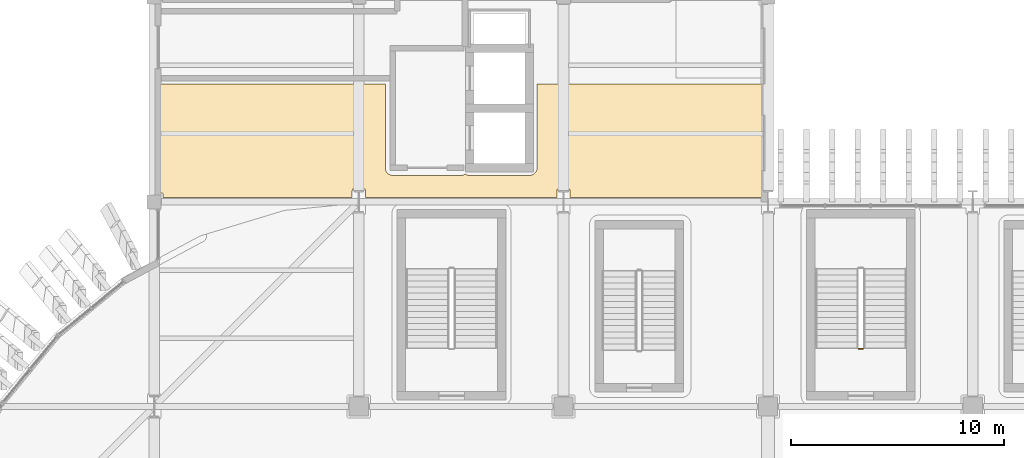
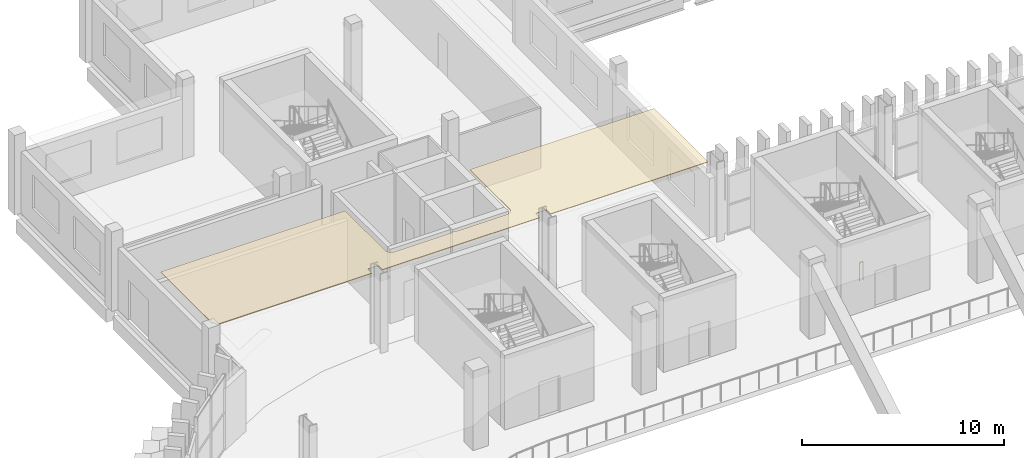
# One storey, part 85 of 100: 1 covering, 1 railing.
"""IFC4 building model written with IfcOpenShell, lengths in metres."""

from ifc_helpers import new_model, si_unit, direction, frame, origin, origin_2d, place, context, subcontext, project, spatial, polyline, circle, outline, extrude, material, layer, layer_set, type_object, element, save


model = new_model("IFC4")

# Units and contexts
model_context = context("Model", 3, precision=1e-05, world=origin(), true_north=direction((0.0, 1.0)))
body_context = subcontext(model_context, "Body", "Model", "MODEL_VIEW")
ifc_project = project(units=[si_unit("LENGTHUNIT", "METRE"), si_unit("AREAUNIT", "SQUARE_METRE"), si_unit("VOLUMEUNIT", "CUBIC_METRE"), si_unit("PLANEANGLEUNIT", "RADIAN"), si_unit("MASSUNIT", "GRAM", prefix="KILO")], contexts=[model_context])

# Site, building, storey
site_placement = place(None, origin())
site = spatial("IfcSite", under=ifc_project, at=site_placement, CompositionType="ELEMENT")
building_placement = place(site_placement, origin())
building = spatial("IfcBuilding", under=site, at=building_placement, Name="Caelomonte Colonnade Arena", CompositionType="ELEMENT")
storey_placement = place(building_placement, origin())
storey = spatial("IfcBuildingStorey", under=building, at=storey_placement, Name="L00", CompositionType="ELEMENT", Elevation=0.0)

# Covering
ifc_material_1 = material(Name="Perforated acoustic mineral-fibre ceiling")
ifc_layer = layer(ifc_material_1, 0.0400390625)
ifc_layer_set = layer_set([ifc_layer], Name="Perforated acoustic mineral-fibre ceiling")
covering_type = type_object("IfcCoveringType", Name="INT-CV-CEIL1", PredefinedType="CEILING", material=ifc_layer_set)
covering_placement = place(storey_placement, frame((0.0, 0.0, 4.419921875)))
element("IfcCovering", 1, at=covering_placement, inside=storey, type_object=covering_type, Name="L00 North Gallery Concourse acoustic ceiling", PredefinedType="CEILING", context=body_context, shape_type="SweptSolid", body=[
    extrude(outline(polyline([(67.5, 120.719970703125), (67.5, 115.6201171875), (67.5400390625, 115.6201171875), (67.5478515625, 115.61962890625), (67.5556640625, 115.618408203125), (67.563232421875, 115.61669921875), (67.570556640625, 115.614013671875), (67.57763671875, 115.610595703125), (67.58447265625, 115.6064453125), (67.5908203125, 115.601806640625), (67.5966796875, 115.5966796875), (67.601806640625, 115.5908203125), (67.6064453125, 115.58447265625), (67.610595703125, 115.57763671875), (67.614013671875, 115.570556640625), (67.61669921875, 115.563232421875), (67.618408203125, 115.5556640625), (67.61962890625, 115.5478515625), (67.6201171875, 115.5400390625), (67.6201171875, 115.39990234375), (76.491455078125, 115.39990234375), (76.491455078125, 115.735595703125), (76.491943359375, 115.743408203125), (76.492919921875, 115.751220703125), (76.494873046875, 115.7587890625), (76.49755859375, 115.766357421875), (76.5009765625, 115.7734375), (76.5048828125, 115.780029296875), (76.509765625, 115.78662109375), (76.514892578125, 115.792236328125), (76.520751953125, 115.797607421875), (76.527099609375, 115.80224609375), (76.53369140625, 115.806396484375), (76.541015625, 115.8095703125), (76.54833984375, 115.812255859375), (76.555908203125, 115.814208984375), (76.563720703125, 115.815185546875), (76.571533203125, 115.815673828125), (77.028564453125, 115.815673828125), (77.036376953125, 115.815185546875), (77.044189453125, 115.814208984375), (77.0517578125, 115.812255859375), (77.05908203125, 115.8095703125), (77.066162109375, 115.806396484375), (77.072998046875, 115.80224609375), (77.079345703125, 115.797607421875), (77.085205078125, 115.792236328125), (77.09033203125, 115.78662109375), (77.094970703125, 115.780029296875), (77.09912109375, 115.7734375), (77.102294921875, 115.766357421875), (77.10498046875, 115.7587890625), (77.10693359375, 115.751220703125), (77.108154296875, 115.743408203125), (77.1083984375, 115.735595703125), (77.1083984375, 115.39990234375), (86.091552734375, 115.39990234375), (86.091552734375, 115.735595703125), (86.091796875, 115.743408203125), (86.093017578125, 115.751220703125), (86.094970703125, 115.7587890625), (86.09765625, 115.766357421875), (86.100830078125, 115.7734375), (86.10498046875, 115.780029296875), (86.109619140625, 115.78662109375), (86.114990234375, 115.792236328125), (86.12060546875, 115.797607421875), (86.127197265625, 115.80224609375), (86.1337890625, 115.806396484375), (86.140869140625, 115.8095703125), (86.148193359375, 115.812255859375), (86.156005859375, 115.814208984375), (86.163818359375, 115.815185546875), (86.17138671875, 115.815673828125), (86.62841796875, 115.815673828125), (86.63623046875, 115.815185546875), (86.64404296875, 115.814208984375), (86.651611328125, 115.812255859375), (86.6591796875, 115.8095703125), (86.666259765625, 115.806396484375), (86.6728515625, 115.80224609375), (86.67919921875, 115.797607421875), (86.68505859375, 115.792236328125), (86.690185546875, 115.78662109375), (86.695068359375, 115.780029296875), (86.69921875, 115.7734375), (86.702392578125, 115.766357421875), (86.705078125, 115.7587890625), (86.70703125, 115.751220703125), (86.7080078125, 115.743408203125), (86.70849609375, 115.735595703125), (86.70849609375, 115.39990234375), (95.69140625, 115.39990234375), (95.69140625, 115.735595703125), (95.69189453125, 115.743408203125), (95.693115234375, 115.751220703125), (95.69482421875, 115.7587890625), (95.697509765625, 115.766357421875), (95.699951171875, 115.771484375), (95.699951171875, 120.719970703125), (85.159912109375, 120.719970703125), (85.159912109375, 116.800048828125), (85.159912109375, 116.796142578125), (85.15869140625, 116.7685546875), (85.15771484375, 116.7607421875), (85.15380859375, 116.733642578125), (85.152099609375, 116.725830078125), (85.1455078125, 116.69921875), (85.143310546875, 116.69189453125), (85.134033203125, 116.666015625), (85.131103515625, 116.65869140625), (85.119384765625, 116.6337890625), (85.115478515625, 116.626953125), (85.101318359375, 116.603271484375), (85.09716796875, 116.5966796875), (85.080810546875, 116.57470703125), (85.07568359375, 116.568603515625), (85.057373046875, 116.54833984375), (85.0517578125, 116.542724609375), (85.031494140625, 116.5244140625), (85.025390625, 116.519287109375), (85.003173828125, 116.5029296875), (84.99658203125, 116.49853515625), (84.97314453125, 116.484375), (84.96630859375, 116.480712890625), (84.94140625, 116.468994140625), (84.93408203125, 116.466064453125), (84.908203125, 116.456787109375), (84.900634765625, 116.45458984375), (84.8740234375, 116.44775390625), (84.866455078125, 116.4462890625), (84.839111328125, 116.442138671875), (84.831298828125, 116.44140625), (84.803955078125, 116.440185546875), (84.800048828125, 116.43994140625), (82.0, 116.43994140625), (81.99609375, 116.440185546875), (81.968505859375, 116.44140625), (81.960693359375, 116.442138671875), (81.93359375, 116.4462890625), (81.92578125, 116.44775390625), (81.8994140625, 116.45458984375), (81.891845703125, 116.456787109375), (81.865966796875, 116.466064453125), (81.858642578125, 116.468994140625), (81.833740234375, 116.480712890625), (81.826904296875, 116.484375), (81.80322265625, 116.49853515625), (81.800048828125, 116.500732421875), (81.796630859375, 116.49853515625), (81.773193359375, 116.484375), (81.76611328125, 116.480712890625), (81.741455078125, 116.468994140625), (81.734130859375, 116.466064453125), (81.708251953125, 116.456787109375), (81.70068359375, 116.45458984375), (81.674072265625, 116.44775390625), (81.66650390625, 116.4462890625), (81.63916015625, 116.442138671875), (81.63134765625, 116.44140625), (81.60400390625, 116.440185546875), (81.60009765625, 116.43994140625), (78.39990234375, 116.43994140625), (78.39599609375, 116.440185546875), (78.36865234375, 116.44140625), (78.36083984375, 116.442138671875), (78.33349609375, 116.4462890625), (78.325927734375, 116.44775390625), (78.29931640625, 116.45458984375), (78.291748046875, 116.456787109375), (78.265869140625, 116.466064453125), (78.258544921875, 116.468994140625), (78.23388671875, 116.480712890625), (78.226806640625, 116.484375), (78.203369140625, 116.49853515625), (78.19677734375, 116.5029296875), (78.1748046875, 116.519287109375), (78.168701171875, 116.5244140625), (78.148193359375, 116.542724609375), (78.142578125, 116.54833984375), (78.124267578125, 116.568603515625), (78.119384765625, 116.57470703125), (78.102783203125, 116.5966796875), (78.0986328125, 116.603271484375), (78.08447265625, 116.626953125), (78.080810546875, 116.6337890625), (78.069091796875, 116.65869140625), (78.06591796875, 116.666015625), (78.056640625, 116.69189453125), (78.054443359375, 116.69921875), (78.0478515625, 116.725830078125), (78.046142578125, 116.733642578125), (78.042236328125, 116.7607421875), (78.04150390625, 116.7685546875), (78.0400390625, 116.796142578125), (78.0400390625, 116.800048828125), (78.0400390625, 120.719970703125), (67.5, 120.719970703125)])), origin(), (0.0, 0.0, 1.0), 0.0400390625),
])

# Railing
ifc_material_2 = material(Name="Painted galvanized steel stair guard", Category="steel")
railing_type = type_object("IfcRailingType", Name="INT-RL-GRD", PredefinedType="GUARDRAIL", material=ifc_material_2)
railing_placement = place(storey_placement, frame((100.449951171875, 108.300048828125, 0.0)))
element("IfcRailing", 2, at=railing_placement, inside=storey, type_object=railing_type, Name="L00 ST-15 stair guard 4", PredefinedType="GUARDRAIL", context=body_context, shape_type="SweptSolid", body=[
    extrude(circle(Radius=0.02392578125, at=origin_2d()), frame((0.0, 0.0, 1.076171875), z_axis=(-1.0, 0.0, 0.0), x_axis=(0.0, -1.0, 0.0)), (0.0, 0.0, 1.0), 0.199951171875),
    extrude(circle(Radius=0.02099609375, at=origin_2d()), origin(), (0.0, 0.0, 1.0), 1.048095703125),
    extrude(circle(Radius=0.02099609375, at=origin_2d()), frame((-0.199951171875, 0.0, 0.0)), (0.0, 0.0, 1.0), 1.048095703125),
])

save(model, "model.ifc")
